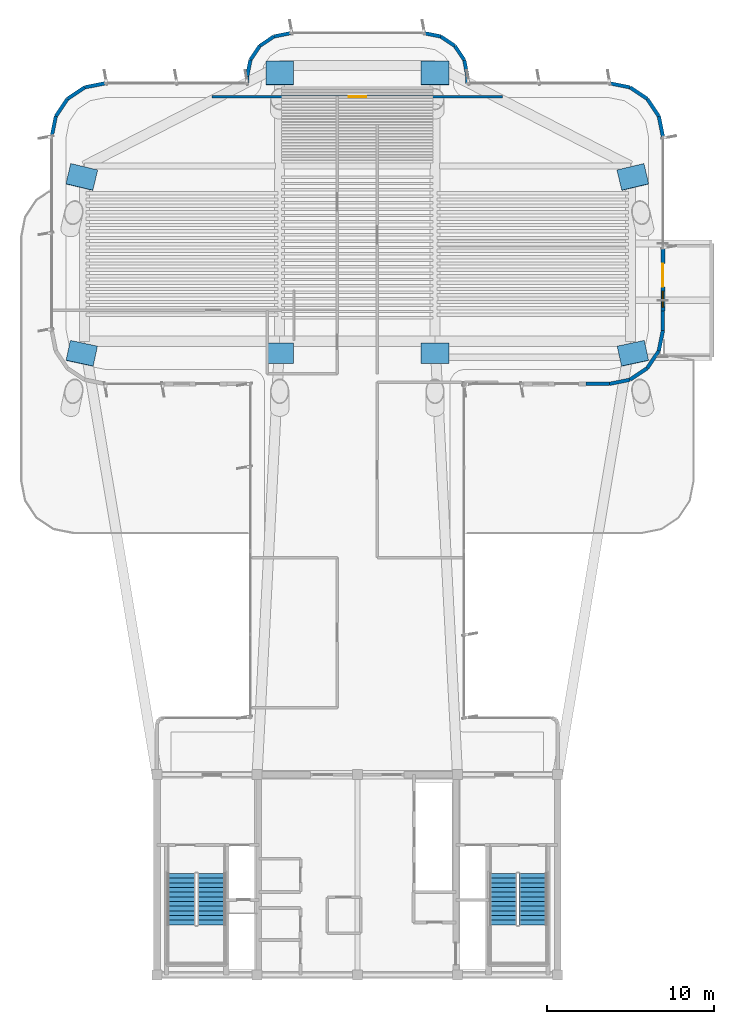
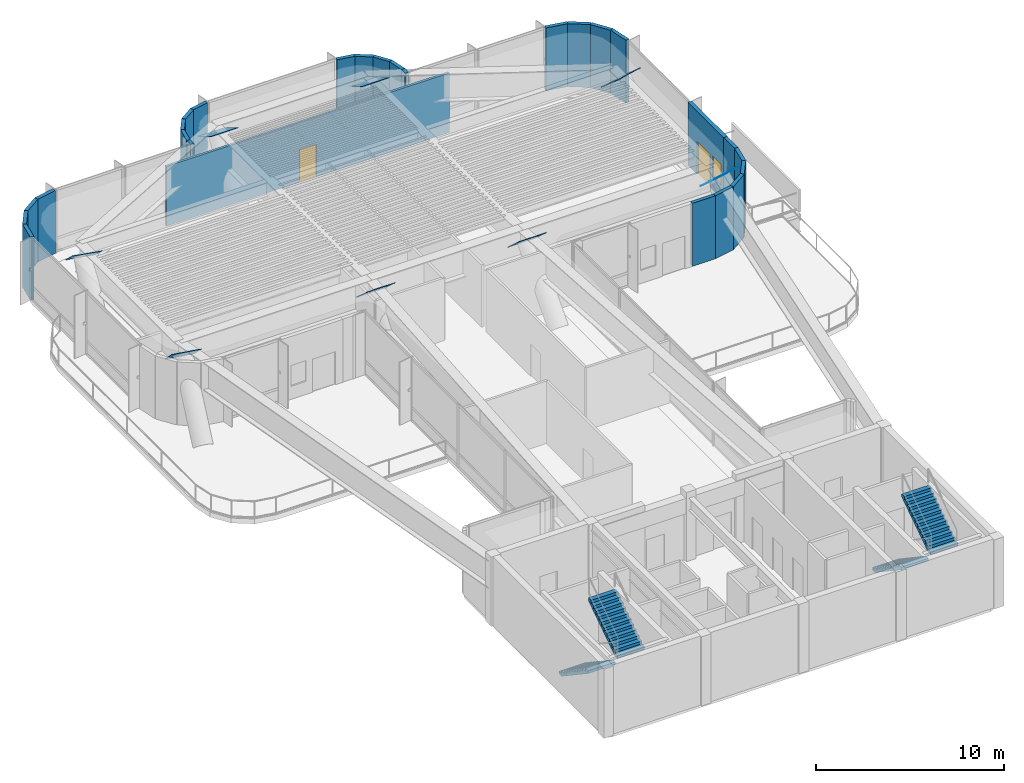
# One storey, part 13 of 16: 26 walls, 8 discrete accessories, 4 stair flights, 2 doors, 1 window, 3 openings, 2 elements without a shape of their own.
"""IFC4 building model written with IfcOpenShell, lengths in metres."""

from ifc_helpers import new_model, si_unit, direction, frame, frame_2d, origin, origin_2d, place, context, subcontext, project, spatial, polyline, rectangle, outline, extrude, source, transform, mapped, material, layer, layer_set, material_profile, profile_set, type_object, element, fill, aggregate, save


model = new_model("IFC4")

# Units and contexts
model_context = context("Model", 3, precision=1e-05, world=origin(), true_north=direction((0.0, 1.0)))
body_context = subcontext(model_context, "Body", "Model", "MODEL_VIEW")
ifc_project = project(units=[si_unit("LENGTHUNIT", "METRE"), si_unit("AREAUNIT", "SQUARE_METRE"), si_unit("VOLUMEUNIT", "CUBIC_METRE"), si_unit("PLANEANGLEUNIT", "RADIAN"), si_unit("MASSUNIT", "GRAM", prefix="KILO")], contexts=[model_context])

# Site, building, storey
site_placement = place(None, origin())
site = spatial("IfcSite", under=ifc_project, at=site_placement, CompositionType="ELEMENT")
building_placement = place(site_placement, origin())
building = spatial("IfcBuilding", under=site, at=building_placement, Name="Brelvock Crest Care Tower", CompositionType="ELEMENT")
storey_placement = place(building_placement, frame((0.0, 0.0, 218.52001953125)))
storey = spatial("IfcBuildingStorey", under=building, at=storey_placement, Name="L55", CompositionType="ELEMENT", Elevation=218.52001953125)

# Wall, openings, door, window
ifc_material_1 = material(Name="Precast concrete N40 (40 MPa)", Category="concrete")
ifc_layer_1 = layer(ifc_material_1, 0.239990234375, Name="WL-EX1")
ifc_layer_set_1 = layer_set([ifc_layer_1], Name="Precast concrete N40 (40 MPa)")
wall_type_1 = type_object("IfcWallType", Name="WL-EX1", PredefinedType="SOLIDWALL", material=ifc_layer_set_1)
wall_1_placement = place(storey_placement, frame((54.300048828125, 49.550048828125, 0.0), z_axis=(0.0, 0.0, 1.0), x_axis=(0.0, -1.0, 0.0)))
wall_1 = element("IfcWall", 1, at=wall_1_placement, inside=storey, type_object=wall_type_1, Name="L55 Exterior Spandrel Wall WL-TER-L55-39", PredefinedType="SOLIDWALL", context=body_context, shape_type="SweptSolid", body=[
    extrude(rectangle(XDim=3.800048828125, YDim=0.239990234375, at=frame_2d((1.89990234375, 0.0))), origin(), (0.0, 0.0, 1.0), 4.092041015625),
])
opening_1_placement = place(wall_1_placement, frame((0.949951171875, 0.0, 0.0)))
opening_1 = element("IfcOpeningElement", 2, at=opening_1_placement, cuts=wall_1, Name="Opening TD-1", PredefinedType="OPENING", context=body_context, shape_type="SweptSolid", body=[
    extrude(rectangle(XDim=1.39990234375, YDim=2.14990234375, at=origin_2d()), frame((0.699951171875, 0.1298828125, 1.074951171875), z_axis=(0.0, -1.0, 0.0), x_axis=(1.0, 0.0, 0.0)), (0.0, 0.0, 1.0), 0.260009765625),
])
opening_2_placement = place(wall_1_placement, frame((2.60009765625, 0.0, 0.85009765625)))
opening_2 = element("IfcOpeningElement", 3, at=opening_2_placement, cuts=wall_1, Name="Opening W-03", PredefinedType="OPENING", context=body_context, shape_type="SweptSolid", body=[
    extrude(rectangle(XDim=0.949951171875, YDim=1.35009765625, at=origin_2d()), frame((0.47509765625, 0.1298828125, 0.675048828125), z_axis=(0.0, -1.0, 0.0), x_axis=(1.0, 0.0, 0.0)), (0.0, 0.0, 1.0), 0.260009765625),
])
ifc_material_2 = material(Name="Dark Glass Double Glazed Low-E", Category="glass")
door_type_1 = type_object("IfcDoorType", Name="DR-TER1", OperationType="NOTDEFINED", PredefinedType="DOOR", material=ifc_material_2)
shared_shape_1 = source(origin(), body_context, "Body", "SweptSolid", [
    extrude(rectangle(XDim=1.39990234375, YDim=2.14990234375, at=origin_2d()), frame((0.699951171875, 0.02490234375, 1.074951171875), z_axis=(0.0, -1.0, 0.0), x_axis=(1.0, 0.0, 0.0)), (0.0, 0.0, 1.0), 0.050048828125),
])
door_1_placement = place(opening_1_placement, origin())
door_1 = element("IfcDoor", 4, at=door_1_placement, inside=storey, type_object=door_type_1, Name="L55 Setback Terrace Glazed Door", OperationType="SINGLE_SWING_RIGHT", OverallHeight=2.14990234375, OverallWidth=1.39990234375, PredefinedType="DOOR", context=body_context, shape_type="MappedRepresentation", body=[
    mapped(shared_shape_1, transform((0.0, 0.0, 0.0), x_axis=(1.0, 0.0, 0.0), y_axis=(0.0, 1.0, 0.0), z_axis=(0.0, 0.0, 1.0), scale=1.0)),
])
fill(opening_1, door_1)
window_type = type_object("IfcWindowType", Name="WN-EX3", PartitioningType="SINGLE_PANEL", PredefinedType="WINDOW", material=ifc_material_2)
shared_shape_2 = source(origin(), body_context, "Body", "SweptSolid", [
    extrude(rectangle(XDim=0.949951171875, YDim=1.35009765625, at=origin_2d()), frame((0.47509765625, 0.030029296875, 0.675048828125), z_axis=(0.0, -1.0, 0.0), x_axis=(1.0, 0.0, 0.0)), (0.0, 0.0, 1.0), 0.06005859375),
])
window_placement = place(opening_2_placement, origin())
window = element("IfcWindow", 5, at=window_placement, inside=storey, type_object=window_type, Name="L55 Terrace Side Window", OverallHeight=1.35009765625, OverallWidth=0.949951171875, PartitioningType="SINGLE_PANEL", PredefinedType="WINDOW", context=body_context, shape_type="MappedRepresentation", body=[
    mapped(shared_shape_2, transform((0.0, 0.0, 0.0), x_axis=(1.0, 0.0, 0.0), y_axis=(0.0, 1.0, 0.0), z_axis=(0.0, 0.0, 1.0), scale=1.0)),
])
fill(opening_2, window)

# Walls
ifc_layer_2 = layer(ifc_material_1, 0.215087890625, Name="WL-EX2")
ifc_layer_set_2 = layer_set([ifc_layer_2], Name="Precast concrete N40 (40 MPa)")
wall_type_2 = type_object("IfcWallType", Name="WL-EX2", PredefinedType="SOLIDWALL", material=ifc_layer_set_2)
for number, where, z_axis, x_axis, name in (
    (6, (17.699951171875, 56.199951171875, 0.0), (0.0, 0.0, 1.0), (0.195138390419, 0.980775717779, 0.0), "L55 Rounded Corner Wall 18"),
    (7, (17.943603515625, 57.424560546875, 0.0), (0.0, 0.0, 1.0), (0.555557312883, 0.831478245117, 0.0), "L55 Rounded Corner Wall 19"),
    (8, (18.63720703125, 58.462646484375, 0.0), (0.0, 0.0, 1.0), (0.831387912822, 0.555692485475, 0.0), "L55 Rounded Corner Wall 20"),
    (9, (19.67529296875, 59.156494140625, 0.0), (0.0, 0.0, 1.0), (0.980813122964, 0.194950295773, 0.0), "L55 Rounded Corner Wall 21"),
):
    element("IfcWall", number, at=place(storey_placement, frame(where, z_axis=z_axis, x_axis=x_axis)), inside=storey, type_object=wall_type_2, Name=name, PredefinedType="SOLIDWALL", context=body_context, shape_type="SweptSolid", body=[
        extrude(rectangle(XDim=1.24853515625, YDim=0.215087890625, at=frame_2d((0.624267578125, 0.0))), origin(), (0.0, 0.0, 1.0), 4.092041015625),
    ])
wall_2_placement = place(storey_placement, frame((29.39990234375, 59.39990234375, 0.0), z_axis=(0.0, 0.0, 1.0), x_axis=(0.0, 1.0, 0.0)))
element("IfcWall", 10, at=wall_2_placement, inside=storey, type_object=wall_type_2, Name="L55 Rounded Corner Wall 23", PredefinedType="SOLIDWALL", context=body_context, shape_type="SweptSolid", body=[
    extrude(rectangle(XDim=0.400146484375, YDim=0.215087890625, at=frame_2d((0.2001953125, 0.0))), origin(), (0.0, 0.0, 1.0), 4.092041015625),
])
wall_3_placement = place(storey_placement, frame((29.39990234375, 59.800048828125, 0.0), z_axis=(0.0, 0.0, 1.0), x_axis=(0.195190360752, 0.980765376158, 0.0)))
element("IfcWall", 11, at=wall_3_placement, inside=storey, type_object=wall_type_2, Name="L55 Rounded Corner Wall 24", PredefinedType="SOLIDWALL", context=body_context, shape_type="SweptSolid", body=[
    extrude(rectangle(XDim=1.014404296875, YDim=0.215087890625, at=frame_2d((0.50732421875, 0.0))), origin(), (0.0, 0.0, 1.0), 4.092041015625),
])
wall_4_placement = place(storey_placement, frame((29.597900390625, 60.794921875, 0.0), z_axis=(0.0, 0.0, 1.0), x_axis=(0.555643898837, 0.831420385657, 0.0)))
element("IfcWall", 12, at=wall_4_placement, inside=storey, type_object=wall_type_2, Name="L55 Rounded Corner Wall 25", PredefinedType="SOLIDWALL", context=body_context, shape_type="SweptSolid", body=[
    extrude(rectangle(XDim=1.0146484375, YDim=0.215087890625, at=frame_2d((0.50732421875, 0.0))), origin(), (0.0, 0.0, 1.0), 4.092041015625),
])
wall_5_placement = place(storey_placement, frame((30.16162109375, 61.638427734375, 0.0), z_axis=(0.0, 0.0, 1.0), x_axis=(0.831346067305, 0.555755086685, 0.0)))
element("IfcWall", 13, at=wall_5_placement, inside=storey, type_object=wall_type_2, Name="L55 Rounded Corner Wall 26", PredefinedType="SOLIDWALL", context=body_context, shape_type="SweptSolid", body=[
    extrude(rectangle(XDim=1.014404296875, YDim=0.215087890625, at=frame_2d((0.50732421875, 0.0))), origin(), (0.0, 0.0, 1.0), 4.092041015625),
])
for number, where, z_axis, x_axis, name in (
    (14, (31.0048828125, 62.2021484375, 0.0), (0.0, 0.0, 1.0), (0.980820570666, 0.194912821943, 0.0), "L55 Rounded Corner Wall 27"),
    (15, (40.0, 62.39990234375, 0.0), (0.0, 0.0, 1.0), (0.980820570666, -0.194912821943, 0.0), "L55 Rounded Corner Wall 29"),
):
    element("IfcWall", number, at=place(storey_placement, frame(where, z_axis=z_axis, x_axis=x_axis)), inside=storey, type_object=wall_type_2, Name=name, PredefinedType="SOLIDWALL", context=body_context, shape_type="SweptSolid", body=[
        extrude(rectangle(XDim=1.0146484375, YDim=0.215087890625, at=frame_2d((0.50732421875, 0.0))), origin(), (0.0, 0.0, 1.0), 4.092041015625),
    ])
wall_6_placement = place(storey_placement, frame((40.9951171875, 62.2021484375, 0.0), z_axis=(0.0, 0.0, 1.0), x_axis=(0.831346067305, -0.555755086685, 0.0)))
element("IfcWall", 16, at=wall_6_placement, inside=storey, type_object=wall_type_2, Name="L55 Rounded Corner Wall 30", PredefinedType="SOLIDWALL", context=body_context, shape_type="SweptSolid", body=[
    extrude(rectangle(XDim=1.014404296875, YDim=0.215087890625, at=frame_2d((0.50732421875, 0.0))), origin(), (0.0, 0.0, 1.0), 4.092041015625),
])
wall_7_placement = place(storey_placement, frame((41.83837890625, 61.638427734375, 0.0), z_axis=(0.0, 0.0, 1.0), x_axis=(0.555643898837, -0.831420385657, 0.0)))
element("IfcWall", 17, at=wall_7_placement, inside=storey, type_object=wall_type_2, Name="L55 Rounded Corner Wall 31", PredefinedType="SOLIDWALL", context=body_context, shape_type="SweptSolid", body=[
    extrude(rectangle(XDim=1.0146484375, YDim=0.215087890625, at=frame_2d((0.50732421875, 0.0))), origin(), (0.0, 0.0, 1.0), 4.092041015625),
])
wall_8_placement = place(storey_placement, frame((42.402099609375, 60.794921875, 0.0), z_axis=(0.0, 0.0, 1.0), x_axis=(0.195190360752, -0.980765376158, 0.0)))
element("IfcWall", 18, at=wall_8_placement, inside=storey, type_object=wall_type_2, Name="L55 Rounded Corner Wall 32", PredefinedType="SOLIDWALL", context=body_context, shape_type="SweptSolid", body=[
    extrude(rectangle(XDim=1.014404296875, YDim=0.215087890625, at=frame_2d((0.50732421875, 0.0))), origin(), (0.0, 0.0, 1.0), 4.092041015625),
])
wall_9_placement = place(storey_placement, frame((42.60009765625, 59.800048828125, 0.0), z_axis=(0.0, 0.0, 1.0), x_axis=(0.0, -1.0, 0.0)))
element("IfcWall", 19, at=wall_9_placement, inside=storey, type_object=wall_type_2, Name="L55 Rounded Corner Wall 33", PredefinedType="SOLIDWALL", context=body_context, shape_type="SweptSolid", body=[
    extrude(rectangle(XDim=0.400146484375, YDim=0.215087890625, at=frame_2d((0.2001953125, 0.0))), origin(), (0.0, 0.0, 1.0), 4.092041015625),
])
for number, where, z_axis, x_axis, name in (
    (20, (51.10009765625, 59.39990234375, 0.0), (0.0, 0.0, 1.0), (0.980813122964, -0.194950295773, 0.0), "L55 Rounded Corner Wall 35"),
    (21, (52.32470703125, 59.156494140625, 0.0), (0.0, 0.0, 1.0), (0.831387912822, -0.555692485475, 0.0), "L55 Rounded Corner Wall 36"),
    (22, (53.36279296875, 58.462646484375, 0.0), (0.0, 0.0, 1.0), (0.555557312883, -0.831478245117, 0.0), "L55 Rounded Corner Wall 37"),
    (23, (54.056396484375, 57.424560546875, 0.0), (0.0, 0.0, 1.0), (0.195138390419, -0.980775717779, 0.0), "L55 Rounded Corner Wall 38"),
):
    element("IfcWall", number, at=place(storey_placement, frame(where, z_axis=z_axis, x_axis=x_axis)), inside=storey, type_object=wall_type_2, Name=name, PredefinedType="SOLIDWALL", context=body_context, shape_type="SweptSolid", body=[
        extrude(rectangle(XDim=1.24853515625, YDim=0.215087890625, at=frame_2d((0.624267578125, 0.0))), origin(), (0.0, 0.0, 1.0), 4.092041015625),
    ])
wall_10_placement = place(storey_placement, frame((54.300048828125, 45.75, 0.0), z_axis=(0.0, 0.0, 1.0), x_axis=(0.0, -1.0, 0.0)))
element("IfcWall", 24, at=wall_10_placement, inside=storey, type_object=wall_type_2, Name="L55 Exterior Spandrel Pier E39B", PredefinedType="SOLIDWALL", context=body_context, shape_type="SweptSolid", body=[
    extrude(rectangle(XDim=1.14990234375, YDim=0.215087890625, at=frame_2d((0.574951171875, 0.0))), origin(), (0.0, 0.0, 1.0), 4.092041015625),
])
for number, where, z_axis, x_axis, name in (
    (25, (54.300048828125, 44.60009765625, 0.0), (0.0, 0.0, 1.0), (-0.195138390419, -0.980775717779, 0.0), "L55 Rounded Corner Wall 40"),
    (26, (54.056396484375, 43.37548828125, 0.0), (0.0, 0.0, 1.0), (-0.555557312883, -0.831478245117, 0.0), "L55 Rounded Corner Wall 41"),
    (27, (53.36279296875, 42.33740234375, 0.0), (0.0, 0.0, 1.0), (-0.831387912822, -0.555692485475, 0.0), "L55 Rounded Corner Wall 42"),
    (28, (52.32470703125, 41.6435546875, 0.0), (0.0, 0.0, 1.0), (-0.980775717779, -0.195138390419, 0.0), "L55 Rounded Corner Wall 43"),
):
    element("IfcWall", number, at=place(storey_placement, frame(where, z_axis=z_axis, x_axis=x_axis)), inside=storey, type_object=wall_type_2, Name=name, PredefinedType="SOLIDWALL", context=body_context, shape_type="SweptSolid", body=[
        extrude(rectangle(XDim=1.24853515625, YDim=0.215087890625, at=frame_2d((0.624267578125, 0.0))), origin(), (0.0, 0.0, 1.0), 4.092041015625),
    ])
wall_11_placement = place(storey_placement, frame((51.10009765625, 41.39990234375, 0.0), z_axis=(0.0, 0.0, 1.0), x_axis=(-1.0, 0.0, 0.0)))
element("IfcWall", 29, at=wall_11_placement, inside=storey, type_object=wall_type_2, Name="L55 Exterior Spandrel Pier E44A", PredefinedType="SOLIDWALL", context=body_context, shape_type="SweptSolid", body=[
    extrude(rectangle(XDim=1.406005859375, YDim=0.215087890625, at=frame_2d((0.703125, 0.0))), origin(), (0.0, 0.0, 1.0), 4.092041015625),
])

# Wall, opening, door
ifc_material_3 = material(Name="Masonry Blockwork Acoustic Partition", Category="masonry")
ifc_layer_3 = layer(ifc_material_3, 0.14990234375, Name="WL-INT1")
ifc_layer_set_3 = layer_set([ifc_layer_3], Name="Masonry Blockwork Acoustic Partition")
wall_type_3 = type_object("IfcWallType", Name="WL-INT1", PredefinedType="PARTITIONING", material=ifc_layer_set_3)
wall_12_placement = place(storey_placement, frame((27.300048828125, 58.60009765625, 0.0), z_axis=(0.0, 0.0, 1.0), x_axis=(1.0, 0.0, 0.0)))
wall_12 = element("IfcWall", 30, at=wall_12_placement, inside=storey, type_object=wall_type_3, Name="L55 Interior Wall WL-RM-L55-NHB", PredefinedType="PARTITIONING", context=body_context, shape_type="SweptSolid", body=[
    extrude(rectangle(XDim=17.39990234375, YDim=0.14990234375, at=frame_2d((8.699951171875, 0.0))), origin(), (0.0, 0.0, 1.0), 3.869873046875),
])
opening_3_placement = place(wall_12_placement, frame((8.175048828125, 0.0, 0.0)))
opening_3 = element("IfcOpeningElement", 31, at=opening_3_placement, cuts=wall_12, Name="Opening CLD-1", PredefinedType="OPENING", context=body_context, shape_type="SweptSolid", body=[
    extrude(rectangle(XDim=1.050048828125, YDim=2.10009765625, at=origin_2d()), frame((0.52490234375, 0.0849609375, 1.050048828125), z_axis=(0.0, -1.0, 0.0), x_axis=(1.0, 0.0, 0.0)), (0.0, 0.0, 1.0), 0.169921875),
])
ifc_material_4 = material(Name="Engineered Hardwood Timber", Category="wood")
door_type_2 = type_object("IfcDoorType", Name="DR-CLN1", OperationType="NOTDEFINED", PredefinedType="DOOR", material=ifc_material_4)
shared_shape_3 = source(origin(), body_context, "Body", "SweptSolid", [
    extrude(rectangle(XDim=1.050048828125, YDim=2.10009765625, at=origin_2d()), frame((0.52490234375, 0.02490234375, 1.050048828125), z_axis=(0.0, -1.0, 0.0), x_axis=(1.0, 0.0, 0.0)), (0.0, 0.0, 1.0), 0.050048828125),
])
door_2_placement = place(opening_3_placement, origin())
door_2 = element("IfcDoor", 32, at=door_2_placement, inside=storey, type_object=door_type_2, Name="L55 Solarium Recovery Sunroom Door NHB", OperationType="SINGLE_SWING_LEFT", OverallHeight=2.10009765625, OverallWidth=1.050048828125, PredefinedType="DOOR", context=body_context, shape_type="MappedRepresentation", body=[
    mapped(shared_shape_3, transform((0.0, 0.0, 0.0), x_axis=(1.0, 0.0, 0.0), y_axis=(0.0, 1.0, 0.0), z_axis=(0.0, 0.0, 1.0), scale=1.0)),
])
fill(opening_3, door_2)

# Stair, stair flights
ifc_material_5 = material(Name="Concrete N40 (40 MPa)", Category="concrete")
stair_type = type_object("IfcStairType", Name="ST-CORE1", PredefinedType="HALF_TURN_STAIR", material=ifc_material_5)
stair_1_placement = place(storey_placement, origin())
stair_1 = element("IfcStair", 33, at=stair_1_placement, inside=storey, type_object=stair_type, Name="L55 Fire-Isolated Core Stair ST-1", PredefinedType="HALF_TURN_STAIR")
stair_flight_type = type_object("IfcStairFlightType", Name="STF-1", PredefinedType="STRAIGHT", material=ifc_material_5)
stair_flight_1_placement = place(storey_placement, frame((25.469970703125, 12.080078125, 0.0), z_axis=(0.0, 0.0, 1.0), x_axis=(0.0, -1.0, 0.0)))
stair_flight_1 = element("IfcStairFlight", 34, at=stair_flight_1_placement, type_object=stair_flight_type, Name="ST-1 flight 1", NumberOfRisers=12, NumberOfTreads=11, PredefinedType="STRAIGHT", RiserHeight=0.1875, TreadLength=0.28, context=body_context, shape_type="SweptSolid", body=[
    extrude(outline(polyline([(-0.00390625, -0.014892578125), (-0.00390625, -0.0078125), (-0.00390625, -0.00048828125), (-0.00390625, 0.006591796875), (-0.00390625, 0.013916015625), (-0.00390625, 0.021240234375), (-0.00390625, 0.0283203125), (-0.00390625, 0.03564453125), (-0.00390625, 0.04296875), (-0.00390625, 0.050048828125), (-0.00390625, 0.057373046875), (-0.00390625, 0.064453125), (-0.00390625, 0.07177734375), (-0.00390625, 0.0791015625), (-0.00390625, 0.086181640625), (-0.00390625, 0.093505859375), (-0.00390625, 0.100830078125), (-0.00390625, 0.10791015625), (-0.00390625, 0.115234375), (-0.00390625, 0.122314453125), (-0.00390625, 0.129638671875), (-0.00390625, 0.136962890625), (-0.00390625, 0.14404296875), (-0.00390625, 0.1513671875), (-0.00390625, 0.15869140625), (-0.00390625, 0.165771484375), (-0.00390625, 0.173095703125), (-0.00390625, 0.18017578125), (-0.00390625, 0.1875), (0.0, 0.1875), (0.280029296875, 0.1875), (0.280029296875, 0.375), (0.56005859375, 0.375), (0.56005859375, 0.5625), (0.840087890625, 0.5625), (0.840087890625, 0.75), (1.1201171875, 0.75), (1.1201171875, 0.9375), (1.39990234375, 0.9375), (1.39990234375, 1.125), (1.679931640625, 1.125), (1.679931640625, 1.3125), (1.9599609375, 1.3125), (1.9599609375, 1.5), (2.239990234375, 1.5), (2.239990234375, 1.6875), (2.52001953125, 1.6875), (2.52001953125, 1.875), (2.800048828125, 1.875), (2.800048828125, 2.0625), (3.080078125, 2.0625), (3.083984375, 2.0625), (3.083740234375, 2.06201171875), (3.083984375, 2.061767578125), (3.083740234375, 2.061279296875), (3.083984375, 2.06103515625), (3.083740234375, 2.060546875), (3.083984375, 2.060302734375), (3.083740234375, 2.059814453125), (3.083984375, 2.0595703125), (3.083740234375, 2.05908203125), (3.083984375, 2.058837890625), (3.083740234375, 2.058349609375), (3.083984375, 2.05810546875), (3.083740234375, 2.0576171875), (3.083984375, 2.05712890625), (3.083740234375, 2.056884765625), (3.083984375, 2.056396484375), (3.083740234375, 2.05615234375), (3.083984375, 2.0556640625), (3.083740234375, 2.055419921875), (3.083984375, 2.054931640625), (3.083740234375, 2.0546875), (3.083984375, 2.05419921875), (3.083740234375, 2.053955078125), (3.083984375, 2.053466796875), (3.083740234375, 2.05322265625), (3.083984375, 2.052734375), (3.083740234375, 2.052490234375), (3.083984375, 2.052001953125), (3.080078125, 1.882080078125), (0.26953125, 0.0), (0.0, 0.0), (0.0, -0.014892578125), (-0.00390625, -0.014892578125)])), frame((0.0, 0.83984375, 0.0), z_axis=(0.0, -1.0, 0.0), x_axis=(1.0, 0.0, 0.0)), (0.0, 0.0, 1.0), 1.679931640625),
])
stair_flight_2_placement = place(storey_placement, frame((27.27001953125, 9.0, 2.25), z_axis=(0.0, 0.0, 1.0), x_axis=(0.0, 1.0, 0.0)))
stair_flight_2 = element("IfcStairFlight", 35, at=stair_flight_2_placement, type_object=stair_flight_type, Name="ST-1 flight 2", NumberOfRisers=12, NumberOfTreads=11, PredefinedType="STRAIGHT", RiserHeight=0.1875, TreadLength=0.28, context=body_context, shape_type="SweptSolid", body=[
    extrude(outline(polyline([(-0.00390625, -0.014892578125), (-0.00390625, -0.0078125), (-0.00390625, -0.00048828125), (-0.00390625, 0.006591796875), (-0.00390625, 0.013916015625), (-0.00390625, 0.021240234375), (-0.00390625, 0.0283203125), (-0.00390625, 0.03564453125), (-0.00390625, 0.04296875), (-0.00390625, 0.050048828125), (-0.00390625, 0.057373046875), (-0.00390625, 0.064453125), (-0.00390625, 0.07177734375), (-0.00390625, 0.0791015625), (-0.00390625, 0.086181640625), (-0.00390625, 0.093505859375), (-0.00390625, 0.100830078125), (-0.00390625, 0.10791015625), (-0.00390625, 0.115234375), (-0.00390625, 0.122314453125), (-0.00390625, 0.129638671875), (-0.00390625, 0.136962890625), (-0.00390625, 0.14404296875), (-0.00390625, 0.1513671875), (-0.00390625, 0.15869140625), (-0.00390625, 0.165771484375), (-0.00390625, 0.173095703125), (-0.00390625, 0.18017578125), (-0.00390625, 0.1875), (0.0, 0.1875), (0.280029296875, 0.1875), (0.280029296875, 0.375), (0.56005859375, 0.375), (0.56005859375, 0.5625), (0.840087890625, 0.5625), (0.840087890625, 0.75), (1.1201171875, 0.75), (1.1201171875, 0.9375), (1.39990234375, 0.9375), (1.39990234375, 1.125), (1.679931640625, 1.125), (1.679931640625, 1.3125), (1.9599609375, 1.3125), (1.9599609375, 1.5), (2.239990234375, 1.5), (2.239990234375, 1.6875), (2.52001953125, 1.6875), (2.52001953125, 1.875), (2.800048828125, 1.875), (2.800048828125, 2.0625), (3.080078125, 2.0625), (3.083984375, 2.0625), (3.083740234375, 2.06201171875), (3.083984375, 2.061767578125), (3.083740234375, 2.061279296875), (3.083984375, 2.06103515625), (3.083740234375, 2.060546875), (3.083984375, 2.060302734375), (3.083740234375, 2.059814453125), (3.083984375, 2.0595703125), (3.083740234375, 2.05908203125), (3.083984375, 2.058837890625), (3.083740234375, 2.058349609375), (3.083984375, 2.05810546875), (3.083740234375, 2.0576171875), (3.083984375, 2.05712890625), (3.083740234375, 2.056884765625), (3.083984375, 2.056396484375), (3.083740234375, 2.05615234375), (3.083984375, 2.0556640625), (3.083740234375, 2.055419921875), (3.083984375, 2.054931640625), (3.083740234375, 2.0546875), (3.083984375, 2.05419921875), (3.083740234375, 2.053955078125), (3.083984375, 2.053466796875), (3.083740234375, 2.05322265625), (3.083984375, 2.052734375), (3.083740234375, 2.052490234375), (3.083984375, 2.052001953125), (3.080078125, 1.882080078125), (0.26953125, 0.0), (0.0, 0.0), (0.0, -0.014892578125), (-0.00390625, -0.014892578125)])), frame((0.0, 0.83984375, 0.0), z_axis=(0.0, -1.0, 0.0), x_axis=(1.0, 0.0, 0.0)), (0.0, 0.0, 1.0), 1.679931640625),
])
aggregate(stair_1, [stair_flight_1, stair_flight_2])

stair_2_placement = place(storey_placement, origin())
stair_2 = element("IfcStair", 36, at=stair_2_placement, inside=storey, type_object=stair_type, Name="L55 Fire-Isolated Core Stair ST-2", PredefinedType="HALF_TURN_STAIR")
stair_flight_3_placement = place(storey_placement, frame((44.72998046875, 12.080078125, 0.0), z_axis=(0.0, 0.0, 1.0), x_axis=(0.0, -1.0, 0.0)))
stair_flight_3 = element("IfcStairFlight", 37, at=stair_flight_3_placement, type_object=stair_flight_type, Name="ST-2 flight 1", NumberOfRisers=12, NumberOfTreads=11, PredefinedType="STRAIGHT", RiserHeight=0.1875, TreadLength=0.28, context=body_context, shape_type="SweptSolid", body=[
    extrude(outline(polyline([(-0.00390625, -0.014892578125), (-0.00390625, -0.0078125), (-0.00390625, -0.00048828125), (-0.00390625, 0.006591796875), (-0.00390625, 0.013916015625), (-0.00390625, 0.021240234375), (-0.00390625, 0.0283203125), (-0.00390625, 0.03564453125), (-0.00390625, 0.04296875), (-0.00390625, 0.050048828125), (-0.00390625, 0.057373046875), (-0.00390625, 0.064453125), (-0.00390625, 0.07177734375), (-0.00390625, 0.0791015625), (-0.00390625, 0.086181640625), (-0.00390625, 0.093505859375), (-0.00390625, 0.100830078125), (-0.00390625, 0.10791015625), (-0.00390625, 0.115234375), (-0.00390625, 0.122314453125), (-0.00390625, 0.129638671875), (-0.00390625, 0.136962890625), (-0.00390625, 0.14404296875), (-0.00390625, 0.1513671875), (-0.00390625, 0.15869140625), (-0.00390625, 0.165771484375), (-0.00390625, 0.173095703125), (-0.00390625, 0.18017578125), (-0.00390625, 0.1875), (0.0, 0.1875), (0.280029296875, 0.1875), (0.280029296875, 0.375), (0.56005859375, 0.375), (0.56005859375, 0.5625), (0.840087890625, 0.5625), (0.840087890625, 0.75), (1.1201171875, 0.75), (1.1201171875, 0.9375), (1.39990234375, 0.9375), (1.39990234375, 1.125), (1.679931640625, 1.125), (1.679931640625, 1.3125), (1.9599609375, 1.3125), (1.9599609375, 1.5), (2.239990234375, 1.5), (2.239990234375, 1.6875), (2.52001953125, 1.6875), (2.52001953125, 1.875), (2.800048828125, 1.875), (2.800048828125, 2.0625), (3.080078125, 2.0625), (3.083984375, 2.0625), (3.083740234375, 2.06201171875), (3.083984375, 2.061767578125), (3.083740234375, 2.061279296875), (3.083984375, 2.06103515625), (3.083740234375, 2.060546875), (3.083984375, 2.060302734375), (3.083740234375, 2.059814453125), (3.083984375, 2.0595703125), (3.083740234375, 2.05908203125), (3.083984375, 2.058837890625), (3.083740234375, 2.058349609375), (3.083984375, 2.05810546875), (3.083740234375, 2.0576171875), (3.083984375, 2.05712890625), (3.083740234375, 2.056884765625), (3.083984375, 2.056396484375), (3.083740234375, 2.05615234375), (3.083984375, 2.0556640625), (3.083740234375, 2.055419921875), (3.083984375, 2.054931640625), (3.083740234375, 2.0546875), (3.083984375, 2.05419921875), (3.083740234375, 2.053955078125), (3.083984375, 2.053466796875), (3.083740234375, 2.05322265625), (3.083984375, 2.052734375), (3.083740234375, 2.052490234375), (3.083984375, 2.052001953125), (3.080078125, 1.882080078125), (0.26953125, 0.0), (0.0, 0.0), (0.0, -0.014892578125), (-0.00390625, -0.014892578125)])), frame((0.0, 0.83984375, 0.0), z_axis=(0.0, -1.0, 0.0), x_axis=(1.0, 0.0, 0.0)), (0.0, 0.0, 1.0), 1.679931640625),
])
stair_flight_4_placement = place(storey_placement, frame((46.530029296875, 9.0, 2.25), z_axis=(0.0, 0.0, 1.0), x_axis=(0.0, 1.0, 0.0)))
stair_flight_4 = element("IfcStairFlight", 38, at=stair_flight_4_placement, type_object=stair_flight_type, Name="ST-2 flight 2", NumberOfRisers=12, NumberOfTreads=11, PredefinedType="STRAIGHT", RiserHeight=0.1875, TreadLength=0.28, context=body_context, shape_type="SweptSolid", body=[
    extrude(outline(polyline([(-0.00390625, -0.014892578125), (-0.00390625, -0.0078125), (-0.00390625, -0.00048828125), (-0.00390625, 0.006591796875), (-0.00390625, 0.013916015625), (-0.00390625, 0.021240234375), (-0.00390625, 0.0283203125), (-0.00390625, 0.03564453125), (-0.00390625, 0.04296875), (-0.00390625, 0.050048828125), (-0.00390625, 0.057373046875), (-0.00390625, 0.064453125), (-0.00390625, 0.07177734375), (-0.00390625, 0.0791015625), (-0.00390625, 0.086181640625), (-0.00390625, 0.093505859375), (-0.00390625, 0.100830078125), (-0.00390625, 0.10791015625), (-0.00390625, 0.115234375), (-0.00390625, 0.122314453125), (-0.00390625, 0.129638671875), (-0.00390625, 0.136962890625), (-0.00390625, 0.14404296875), (-0.00390625, 0.1513671875), (-0.00390625, 0.15869140625), (-0.00390625, 0.165771484375), (-0.00390625, 0.173095703125), (-0.00390625, 0.18017578125), (-0.00390625, 0.1875), (0.0, 0.1875), (0.280029296875, 0.1875), (0.280029296875, 0.375), (0.56005859375, 0.375), (0.56005859375, 0.5625), (0.840087890625, 0.5625), (0.840087890625, 0.75), (1.1201171875, 0.75), (1.1201171875, 0.9375), (1.39990234375, 0.9375), (1.39990234375, 1.125), (1.679931640625, 1.125), (1.679931640625, 1.3125), (1.9599609375, 1.3125), (1.9599609375, 1.5), (2.239990234375, 1.5), (2.239990234375, 1.6875), (2.52001953125, 1.6875), (2.52001953125, 1.875), (2.800048828125, 1.875), (2.800048828125, 2.0625), (3.080078125, 2.0625), (3.083984375, 2.0625), (3.083740234375, 2.06201171875), (3.083984375, 2.061767578125), (3.083740234375, 2.061279296875), (3.083984375, 2.06103515625), (3.083740234375, 2.060546875), (3.083984375, 2.060302734375), (3.083740234375, 2.059814453125), (3.083984375, 2.0595703125), (3.083740234375, 2.05908203125), (3.083984375, 2.058837890625), (3.083740234375, 2.058349609375), (3.083984375, 2.05810546875), (3.083740234375, 2.0576171875), (3.083984375, 2.05712890625), (3.083740234375, 2.056884765625), (3.083984375, 2.056396484375), (3.083740234375, 2.05615234375), (3.083984375, 2.0556640625), (3.083740234375, 2.055419921875), (3.083984375, 2.054931640625), (3.083740234375, 2.0546875), (3.083984375, 2.05419921875), (3.083740234375, 2.053955078125), (3.083984375, 2.053466796875), (3.083740234375, 2.05322265625), (3.083984375, 2.052734375), (3.083740234375, 2.052490234375), (3.083984375, 2.052001953125), (3.080078125, 1.882080078125), (0.26953125, 0.0), (0.0, 0.0), (0.0, -0.014892578125), (-0.00390625, -0.014892578125)])), frame((0.0, 0.83984375, 0.0), z_axis=(0.0, -1.0, 0.0), x_axis=(1.0, 0.0, 0.0)), (0.0, 0.0, 1.0), 1.679931640625),
])
aggregate(stair_2, [stair_flight_3, stair_flight_4])

# Discrete accessories
ifc_material_6 = material(Name="Steel Grade 350", Category="steel")
ifc_material_profile = material_profile(ifc_material_6, rectangle(XDim=1.659912109375, YDim=1.659912109375, at=origin_2d()), Name="ACC-CAP1")
ifc_profile_set = profile_set([ifc_material_profile], Name="Steel Grade 350")
discrete_accessory_type = type_object("IfcDiscreteAccessoryType", Name="ACC-CAP1", PredefinedType="BRACKET", material=ifc_profile_set)
shared_shape_4 = source(origin(), body_context, "Body", "SweptSolid", [
    extrude(rectangle(XDim=1.659912109375, YDim=1.659912109375, at=origin_2d()), origin(), (0.0, 0.0, 1.0), 0.02392578125),
])
for number, where, z_axis, x_axis, name in (
    (39, (19.495361328125, 43.217529296875, 3.694091796875), (0.142849706061, 0.663230778139, 0.734655631169), (-0.977581781174, 0.210556075945, 0.0), "L55 Mega-Column Top End Cap Shoe M1"),
    (40, (19.497802734375, 53.777587890625, 3.70751953125), (0.152537990928, 0.640659561897, 0.752520755244), (-0.972806214685, 0.231620527306, 0.0), "L55 Mega-Column Top End Cap Shoe M2"),
    (41, (52.504638671875, 43.217529296875, 3.694091796875), (-0.142849706061, 0.663230778139, 0.734655631169), (-0.977581781174, -0.210556075945, 0.0), "L55 Mega-Column Top End Cap Shoe M3"),
    (42, (52.502197265625, 53.777587890625, 3.70751953125), (-0.152537990928, 0.640659561897, 0.752520755244), (-0.972806214685, -0.231620527306, 0.0), "L55 Mega-Column Top End Cap Shoe M4"),
    (43, (31.35009765625, 43.221435546875, 3.698486328125), (0.0, 0.670647211269, 0.741776460949), (-1.0, 0.0, 0.0), "L55 Mega-Column Top End Cap Shoe M5"),
    (44, (40.64990234375, 43.221435546875, 3.698486328125), (0.0, 0.670647211269, 0.741776460949), (-1.0, 0.0, 0.0), "L55 Mega-Column Top End Cap Shoe M6"),
    (45, (31.35009765625, 60.015380859375, 3.78271484375), (0.0, 0.511483859768, 0.85929288441), (-1.0, 0.0, 0.0), "L55 Mega-Column Top End Cap Shoe M7"),
    (46, (40.64990234375, 60.015380859375, 3.78271484375), (0.0, 0.511483859768, 0.85929288441), (-1.0, 0.0, 0.0), "L55 Mega-Column Top End Cap Shoe M8"),
):
    element("IfcDiscreteAccessory", number, at=place(storey_placement, frame(where, z_axis=z_axis, x_axis=x_axis)), inside=storey, type_object=discrete_accessory_type, Name=name, PredefinedType="BRACKET", context=body_context, shape_type="MappedRepresentation", body=[
        mapped(shared_shape_4, transform((0.0, 0.0, 0.0), x_axis=(1.0, 0.0, 0.0), y_axis=(0.0, 1.0, 0.0), z_axis=(0.0, 0.0, 1.0), scale=1.0)),
    ])

save(model, "model.ifc")
